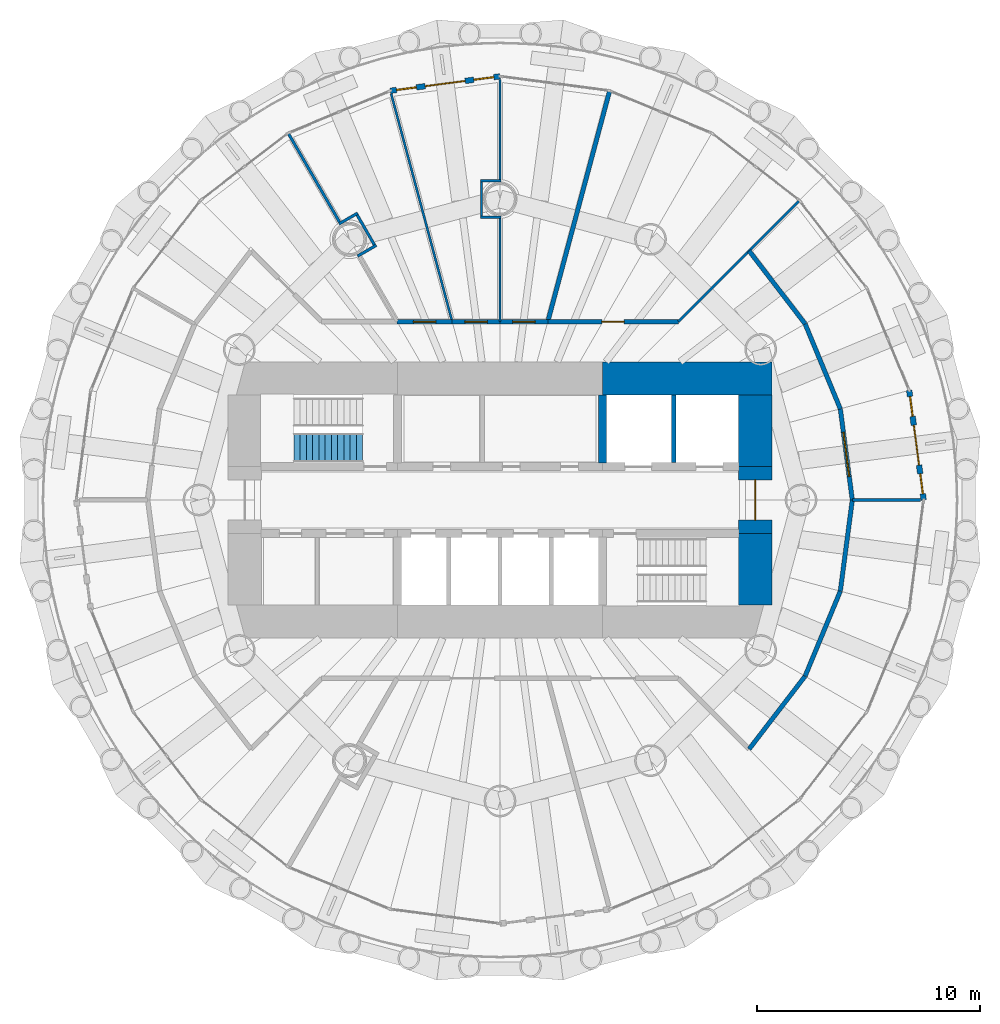
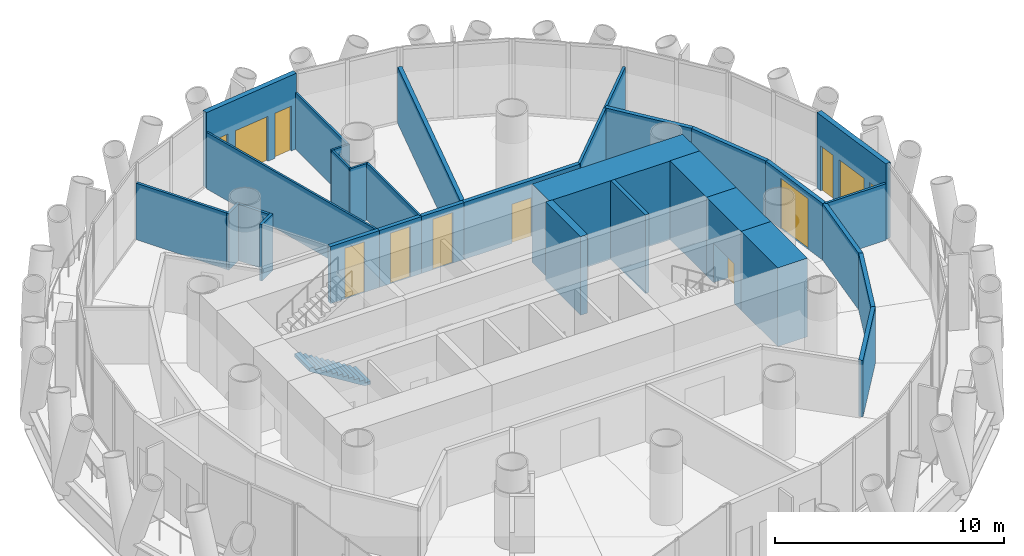
# One storey, part 11 of 16: 31 walls, 8 doors, 4 windows, 1 stair flight, 12 openings, 1 element without a shape of its own.
"""IFC4 building model written with IfcOpenShell, lengths in metres."""

from ifc_helpers import new_model, si_unit, direction, frame, frame_2d, origin, place, context, subcontext, project, spatial, polyline, rectangle, outline, extrude, material, layer, layer_set, type_object, element, fill, aggregate, save


model = new_model("IFC4")

# Units and contexts
model_context = context("Model", 3, precision=1e-05, world=origin(), true_north=direction((0.0, 1.0)))
body_context = subcontext(model_context, "Body", "Model", "MODEL_VIEW")
ifc_project = project(units=[si_unit("LENGTHUNIT", "METRE"), si_unit("AREAUNIT", "SQUARE_METRE"), si_unit("VOLUMEUNIT", "CUBIC_METRE"), si_unit("PLANEANGLEUNIT", "RADIAN"), si_unit("MASSUNIT", "GRAM", prefix="KILO")], contexts=[model_context])

# Site, building, storey
site_placement = place(None, origin())
site = spatial("IfcSite", under=ifc_project, at=site_placement, CompositionType="ELEMENT")
building_placement = place(site_placement, origin())
building = spatial("IfcBuilding", under=site, at=building_placement, Name="Qaws Media Tower", CompositionType="ELEMENT")
storey_placement = place(building_placement, frame((0.0, 0.0, 269.60009765625)))
storey = spatial("IfcBuildingStorey", under=building, at=storey_placement, Name="L62", CompositionType="ELEMENT", Elevation=269.60009765625)

# Wall, openings, door, windows
ifc_material_1 = material(Name="Precast concrete, exposed finish", Category="concrete")
ifc_layer_1 = layer(ifc_material_1, 0.25)
ifc_layer_set_1 = layer_set([ifc_layer_1], Name="Balcony door wall 250")
wall_type_1 = type_object("IfcWallType", Name="Balcony door wall 250", PredefinedType="SOLIDWALL", material=ifc_layer_set_1)
wall_1_placement = place(storey_placement, frame((79.0, 50.0, 0.0), z_axis=(0.0, 0.0, 1.0), x_axis=(-0.130538549191, 0.991443234469, 0.0)))
wall_1 = element("IfcWall", 1, at=wall_1_placement, inside=storey, type_object=wall_type_1, Name="W287 EW1 balcony door wall L62-01", PredefinedType="SOLIDWALL", context=body_context, shape_type="SweptSolid", body=[
    extrude(rectangle(XDim=4.9599609375, YDim=0.25, at=frame_2d((2.47998046875, 0.0))), origin(), (0.0, 0.0, 1.0), 4.039794921875),
])
opening_1_placement = place(wall_1_placement, frame((1.580078125, 0.0, 0.0)))
opening_1 = element("IfcOpeningElement", 2, at=opening_1_placement, cuts=wall_1, Name="Opening D7", PredefinedType="OPENING", context=body_context, shape_type="SweptSolid", body=[
    extrude(rectangle(XDim=1.800048828125, YDim=2.39990234375, at=frame_2d((0.89990234375, 1.199951171875))), frame((0.0, 0.135009765625, 0.0), z_axis=(0.0, -1.0, 0.0), x_axis=(1.0, 0.0, 0.0)), (0.0, 0.0, 1.0), 0.27001953125),
])
opening_2_placement = place(wall_1_placement, frame((0.280029296875, 0.0, 0.0)))
opening_2 = element("IfcOpeningElement", 3, at=opening_2_placement, cuts=wall_1, Name="Opening W7", PredefinedType="OPENING", context=body_context, shape_type="SweptSolid", body=[
    extrude(rectangle(XDim=0.89990234375, YDim=2.39990234375, at=frame_2d((0.449951171875, 1.199951171875))), frame((0.0, 0.135009765625, 0.0), z_axis=(0.0, -1.0, 0.0), x_axis=(1.0, 0.0, 0.0)), (0.0, 0.0, 1.0), 0.27001953125),
])
opening_3_placement = place(wall_1_placement, frame((3.780029296875, 0.0, 0.0)))
opening_3 = element("IfcOpeningElement", 4, at=opening_3_placement, cuts=wall_1, Name="Opening W7", PredefinedType="OPENING", context=body_context, shape_type="SweptSolid", body=[
    extrude(rectangle(XDim=0.89990234375, YDim=2.39990234375, at=frame_2d((0.449951171875, 1.199951171875))), frame((0.0, 0.135009765625, 0.0), z_axis=(0.0, -1.0, 0.0), x_axis=(1.0, 0.0, 0.0)), (0.0, 0.0, 1.0), 0.27001953125),
])
ifc_material_2 = material(Name="Aluminium and clear glass", Category="aluminium")
door_type_1 = type_object("IfcDoorType", Name="Balcony door pair 1800", OperationType="DOUBLE_DOOR_SLIDING", PredefinedType="DOOR", material=ifc_material_2)
door_1_placement = place(opening_1_placement, origin())
door_1 = element("IfcDoor", 5, at=door_1_placement, inside=storey, type_object=door_type_1, Name="D7 balcony door L62-01 in wall W287", OperationType="DOUBLE_DOOR_SLIDING", OverallHeight=2.39990234375, OverallWidth=1.800048828125, PredefinedType="DOOR", context=body_context, shape_type="SweptSolid", body=[
    extrude(rectangle(XDim=1.800048828125, YDim=2.39990234375, at=frame_2d((0.89990234375, 1.199951171875))), frame((0.0, 0.02490234375, 0.0), z_axis=(0.0, -1.0, 0.0), x_axis=(1.0, 0.0, 0.0)), (0.0, 0.0, 1.0), 0.050048828125),
])
fill(opening_1, door_1)
ifc_material_3 = material(Name="Aluminium and clear glass", Category="aluminium")
window_type = type_object("IfcWindowType", Name="Balcony side window 900", PartitioningType="SINGLE_PANEL", PredefinedType="WINDOW", material=ifc_material_3)
window_1_placement = place(opening_2_placement, origin())
window_1 = element("IfcWindow", 6, at=window_1_placement, inside=storey, type_object=window_type, Name="W1 balcony side light L62-01L", OverallHeight=2.39990234375, OverallWidth=0.89990234375, PartitioningType="SINGLE_PANEL", PredefinedType="WINDOW", context=body_context, shape_type="SweptSolid", body=[
    extrude(rectangle(XDim=0.89990234375, YDim=2.39990234375, at=frame_2d((0.449951171875, 1.199951171875))), frame((0.0, 0.030029296875, 0.0), z_axis=(0.0, -1.0, 0.0), x_axis=(1.0, 0.0, 0.0)), (0.0, 0.0, 1.0), 0.06005859375),
])
fill(opening_2, window_1)
window_2_placement = place(opening_3_placement, origin())
window_2 = element("IfcWindow", 7, at=window_2_placement, inside=storey, type_object=window_type, Name="W1 balcony side light L62-01R", OverallHeight=2.39990234375, OverallWidth=0.89990234375, PartitioningType="SINGLE_PANEL", PredefinedType="WINDOW", context=body_context, shape_type="SweptSolid", body=[
    extrude(rectangle(XDim=0.89990234375, YDim=2.39990234375, at=frame_2d((0.449951171875, 1.199951171875))), frame((0.0, 0.030029296875, 0.0), z_axis=(0.0, -1.0, 0.0), x_axis=(1.0, 0.0, 0.0)), (0.0, 0.0, 1.0), 0.06005859375),
])
fill(opening_3, window_2)

wall_2_placement = place(storey_placement, frame((60.0, 69.0, 0.0), z_axis=(0.0, 0.0, 1.0), x_axis=(-0.991443234469, -0.130538549191, 0.0)))
wall_2 = element("IfcWall", 8, at=wall_2_placement, inside=storey, type_object=wall_type_1, Name="W286 EW1 balcony door wall L62-07", PredefinedType="SOLIDWALL", context=body_context, shape_type="SweptSolid", body=[
    extrude(rectangle(XDim=4.9599609375, YDim=0.25, at=frame_2d((2.47998046875, 0.0))), origin(), (0.0, 0.0, 1.0), 4.039794921875),
])
opening_4_placement = place(wall_2_placement, frame((1.580078125, 0.0, 0.0)))
opening_4 = element("IfcOpeningElement", 9, at=opening_4_placement, cuts=wall_2, Name="Opening D7", PredefinedType="OPENING", context=body_context, shape_type="SweptSolid", body=[
    extrude(rectangle(XDim=1.800048828125, YDim=2.39990234375, at=frame_2d((0.89990234375, 1.199951171875))), frame((0.0, 0.135009765625, 0.0), z_axis=(0.0, -1.0, 0.0), x_axis=(1.0, 0.0, 0.0)), (0.0, 0.0, 1.0), 0.27001953125),
])
opening_5_placement = place(wall_2_placement, frame((0.280029296875, 0.0, 0.0)))
opening_5 = element("IfcOpeningElement", 10, at=opening_5_placement, cuts=wall_2, Name="Opening W7", PredefinedType="OPENING", context=body_context, shape_type="SweptSolid", body=[
    extrude(rectangle(XDim=0.89990234375, YDim=2.39990234375, at=frame_2d((0.449951171875, 1.199951171875))), frame((0.0, 0.135009765625, 0.0), z_axis=(0.0, -1.0, 0.0), x_axis=(1.0, 0.0, 0.0)), (0.0, 0.0, 1.0), 0.27001953125),
])
opening_6_placement = place(wall_2_placement, frame((3.780029296875, 0.0, 0.0)))
opening_6 = element("IfcOpeningElement", 11, at=opening_6_placement, cuts=wall_2, Name="Opening W7", PredefinedType="OPENING", context=body_context, shape_type="SweptSolid", body=[
    extrude(rectangle(XDim=0.89990234375, YDim=2.39990234375, at=frame_2d((0.449951171875, 1.199951171875))), frame((0.0, 0.135009765625, 0.0), z_axis=(0.0, -1.0, 0.0), x_axis=(1.0, 0.0, 0.0)), (0.0, 0.0, 1.0), 0.27001953125),
])
door_2_placement = place(opening_4_placement, origin())
door_2 = element("IfcDoor", 12, at=door_2_placement, inside=storey, type_object=door_type_1, Name="D7 balcony door L62-07 in wall W286", OperationType="DOUBLE_DOOR_SLIDING", OverallHeight=2.39990234375, OverallWidth=1.800048828125, PredefinedType="DOOR", context=body_context, shape_type="SweptSolid", body=[
    extrude(rectangle(XDim=1.800048828125, YDim=2.39990234375, at=frame_2d((0.89990234375, 1.199951171875))), frame((0.0, 0.02490234375, 0.0), z_axis=(0.0, -1.0, 0.0), x_axis=(1.0, 0.0, 0.0)), (0.0, 0.0, 1.0), 0.050048828125),
])
fill(opening_4, door_2)
window_3_placement = place(opening_5_placement, origin())
window_3 = element("IfcWindow", 13, at=window_3_placement, inside=storey, type_object=window_type, Name="W1 balcony side light L62-07L", OverallHeight=2.39990234375, OverallWidth=0.89990234375, PartitioningType="SINGLE_PANEL", PredefinedType="WINDOW", context=body_context, shape_type="SweptSolid", body=[
    extrude(rectangle(XDim=0.89990234375, YDim=2.39990234375, at=frame_2d((0.449951171875, 1.199951171875))), frame((0.0, 0.030029296875, 0.0), z_axis=(0.0, -1.0, 0.0), x_axis=(1.0, 0.0, 0.0)), (0.0, 0.0, 1.0), 0.06005859375),
])
fill(opening_5, window_3)
window_4_placement = place(opening_6_placement, origin())
window_4 = element("IfcWindow", 14, at=window_4_placement, inside=storey, type_object=window_type, Name="W1 balcony side light L62-07R", OverallHeight=2.39990234375, OverallWidth=0.89990234375, PartitioningType="SINGLE_PANEL", PredefinedType="WINDOW", context=body_context, shape_type="SweptSolid", body=[
    extrude(rectangle(XDim=0.89990234375, YDim=2.39990234375, at=frame_2d((0.449951171875, 1.199951171875))), frame((0.0, 0.030029296875, 0.0), z_axis=(0.0, -1.0, 0.0), x_axis=(1.0, 0.0, 0.0)), (0.0, 0.0, 1.0), 0.06005859375),
])
fill(opening_6, window_4)

# Walls
ifc_material_4 = material(Name="Concrete C60/75", Category="concrete")
ifc_layer_2 = layer(ifc_material_4, 0.35009765625)
ifc_layer_set_2 = layer_set([ifc_layer_2], Name="Core inner wall 350")
wall_type_2 = type_object("IfcWallType", Name="Core inner wall 350", PredefinedType="SHEAR", material=ifc_layer_set_2)
wall_3_placement = place(storey_placement, frame((64.60009765625, 51.655029296875, 0.0), z_axis=(0.0, 0.0, 1.0), x_axis=(0.0, 1.0, 0.0)))
element("IfcWall", 15, at=wall_3_placement, inside=storey, type_object=wall_type_2, Name="W309 SW5 core wall XNE L62", PredefinedType="SHEAR", context=body_context, shape_type="SweptSolid", body=[
    extrude(rectangle(XDim=3.06494140625, YDim=0.35009765625, at=frame_2d((1.532470703125, 0.0))), origin(), (0.0, 0.0, 1.0), 4.199951171875),
])
ifc_material_5 = material(Name="Concrete C60/75", Category="concrete")
ifc_layer_3 = layer(ifc_material_5, 1.5)
ifc_layer_set_3 = layer_set([ifc_layer_3], Name="Core wall 1500")
wall_type_3 = type_object("IfcWallType", Name="Core wall 1500", PredefinedType="SHEAR", material=ifc_layer_set_3)
wall_4_placement = place(storey_placement, frame((64.60009765625, 55.449951171875, 0.0), z_axis=(0.0, 0.0, 1.0), x_axis=(1.0, 0.0, 0.0)))
element("IfcWall", 16, at=wall_4_placement, inside=storey, type_object=wall_type_3, Name="W382 SW13 core wall NE L62", PredefinedType="SHEAR", context=body_context, shape_type="SweptSolid", body=[
    extrude(rectangle(XDim=7.599853515625, YDim=1.5, at=frame_2d((3.7998046875, 0.0))), origin(), (0.0, 0.0, 1.0), 4.199951171875),
])
wall_5_placement = place(storey_placement, frame((71.449951171875, 45.280029296875, 0.0), z_axis=(0.0, 0.0, 1.0), x_axis=(0.0, 1.0, 0.0)))
element("IfcWall", 17, at=wall_5_placement, inside=storey, type_object=wall_type_3, Name="W383 SW13 core wall ES L62", PredefinedType="SHEAR", context=body_context, shape_type="SweptSolid", body=[
    extrude(rectangle(XDim=3.219970703125, YDim=1.5, at=frame_2d((1.60986328125, 0.0))), origin(), (0.0, 0.0, 1.0), 4.199951171875),
])

# Wall, opening, door
wall_6_placement = place(storey_placement, frame((71.449951171875, 48.5, 0.0), z_axis=(0.0, 0.0, 1.0), x_axis=(0.0, 1.0, 0.0)))
wall_6 = element("IfcWall", 18, at=wall_6_placement, inside=storey, type_object=wall_type_3, Name="W384 SW13 core wall E L62", PredefinedType="SHEAR", context=body_context, shape_type="SweptSolid", body=[
    extrude(rectangle(XDim=3.0, YDim=1.5, at=frame_2d((1.5, 0.0))), origin(), (0.0, 0.0, 1.0), 4.199951171875),
])
opening_7_placement = place(wall_6_placement, frame((0.60009765625, 0.0, 0.0)))
opening_7 = element("IfcOpeningElement", 19, at=opening_7_placement, cuts=wall_6, Name="Opening D2", PredefinedType="OPENING", context=body_context, shape_type="SweptSolid", body=[
    extrude(rectangle(XDim=1.800048828125, YDim=2.10009765625, at=frame_2d((0.89990234375, 1.050048828125))), frame((0.0, 0.760009765625, 0.0), z_axis=(0.0, -1.0, 0.0), x_axis=(1.0, 0.0, 0.0)), (0.0, 0.0, 1.0), 1.52001953125),
])
ifc_material_6 = material(Name="Steel and glass, fire rated", Category="steel")
door_type_2 = type_object("IfcDoorType", Name="Lobby door pair 1800 FD60", OperationType="DOUBLE_DOOR_DOUBLE_SWING", PredefinedType="DOOR", material=ifc_material_6)
door_3_placement = place(opening_7_placement, origin())
door_3 = element("IfcDoor", 20, at=door_3_placement, inside=storey, type_object=door_type_2, Name="D2 core lobby door E L62 in wall W384", OperationType="DOUBLE_DOOR_DOUBLE_SWING", OverallHeight=2.10009765625, OverallWidth=1.800048828125, PredefinedType="DOOR", context=body_context, shape_type="SweptSolid", body=[
    extrude(rectangle(XDim=1.800048828125, YDim=2.10009765625, at=frame_2d((0.89990234375, 1.050048828125))), frame((0.0, 0.02490234375, 0.0), z_axis=(0.0, -1.0, 0.0), x_axis=(1.0, 0.0, 0.0)), (0.0, 0.0, 1.0), 0.050048828125),
])
fill(opening_7, door_3)

# Walls
wall_7_placement = place(storey_placement, frame((71.449951171875, 51.5, 0.0), z_axis=(0.0, 0.0, 1.0), x_axis=(0.0, 1.0, 0.0)))
element("IfcWall", 21, at=wall_7_placement, inside=storey, type_object=wall_type_3, Name="W385 SW13 core wall EN L62", PredefinedType="SHEAR", context=body_context, shape_type="SweptSolid", body=[
    extrude(rectangle(XDim=3.219970703125, YDim=1.5, at=frame_2d((1.60986328125, 0.0))), origin(), (0.0, 0.0, 1.0), 4.199951171875),
])
ifc_material_7 = material(Name="Two layers gypsum board each side on 75 studs, insulated", Category="gypsum")
ifc_layer_4 = layer(ifc_material_7, 0.125)
ifc_layer_set_4 = layer_set([ifc_layer_4], Name="Meeting room partition 125 Rw 48")
wall_type_4 = type_object("IfcWallType", Name="Meeting room partition 125 Rw 48", PredefinedType="PARTITIONING", material=ifc_layer_set_4)
wall_8_placement = place(storey_placement, frame((75.800048828125, 50.0, 0.0), z_axis=(0.0, 0.0, 1.0), x_axis=(1.0, 0.0, 0.0)))
element("IfcWall", 22, at=wall_8_placement, inside=storey, type_object=wall_type_4, Name="W630 IW5 partition L62", PredefinedType="PARTITIONING", context=body_context, shape_type="SweptSolid", body=[
    extrude(rectangle(XDim=3.06005859375, YDim=0.125, at=frame_2d((1.530029296875, 0.0))), origin(), (0.0, 0.0, 1.0), 3.02001953125),
])
wall_9_placement = place(storey_placement, frame((68.0, 58.0, 0.0), z_axis=(0.0, 0.0, 1.0), x_axis=(0.707106781187, 0.707106781187, 0.0)))
element("IfcWall", 23, at=wall_9_placement, inside=storey, type_object=wall_type_4, Name="W629 IW5 partition L62", PredefinedType="PARTITIONING", context=body_context, shape_type="SweptSolid", body=[
    extrude(rectangle(XDim=7.646240234375, YDim=0.125, at=frame_2d((3.8232421875, 0.0))), origin(), (0.0, 0.0, 1.0), 3.02001953125),
])
for number, where, z_axis, x_axis, name in (
    (24, (53.612548828125, 60.938232421875, 0.0), (0.0, 0.0, 1.0), (0.866000904559, 0.500042431503, 0.0), "W626 IW5 partition return L62"),
    (25, (52.779052734375, 62.3818359375, 0.0), (0.0, 0.0, 1.0), (0.866000904559, 0.500042431503, 0.0), "W624 IW5 partition return L62"),
):
    element("IfcWall", number, at=place(storey_placement, frame(where, z_axis=z_axis, x_axis=x_axis)), inside=storey, type_object=wall_type_4, Name=name, PredefinedType="PARTITIONING", context=body_context, shape_type="SweptSolid", body=[
        extrude(rectangle(XDim=0.96875, YDim=0.125, at=frame_2d((0.484375, 0.0))), origin(), (0.0, 0.0, 1.0), 3.02001953125),
    ])
wall_10_placement = place(storey_placement, frame((54.365966796875, 61.4453125, 0.0), z_axis=(0.0, 0.0, 1.0), x_axis=(-0.499987416453, 0.866032668777, 0.0)))
element("IfcWall", 26, at=wall_10_placement, inside=storey, type_object=wall_type_4, Name="W627 IW5 partition return L62", PredefinedType="PARTITIONING", context=body_context, shape_type="SweptSolid", body=[
    extrude(rectangle(XDim=1.5419921875, YDim=0.125, at=frame_2d((0.77099609375, 0.0))), origin(), (0.0, 0.0, 1.0), 3.02001953125),
])
wall_11_placement = place(storey_placement, frame((52.802001953125, 62.46728515625, 0.0), z_axis=(0.0, 0.0, 1.0), x_axis=(-0.499987929865, 0.866032372368, 0.0)))
element("IfcWall", 27, at=wall_11_placement, inside=storey, type_object=wall_type_4, Name="W625 IW5 partition L62", PredefinedType="PARTITIONING", context=body_context, shape_type="SweptSolid", body=[
    extrude(rectangle(XDim=4.56396484375, YDim=0.125, at=frame_2d((2.281982421875, 0.0))), origin(), (0.0, 0.0, 1.0), 3.02001953125),
])
ifc_material_8 = material(Name="Gypsum board on 70 metal studs, single layer each side", Category="gypsum")
ifc_layer_5 = layer(ifc_material_8, 0.10009765625)
ifc_layer_set_5 = layer_set([ifc_layer_5], Name="Office stud partition 100")
wall_type_5 = type_object("IfcWallType", Name="Office stud partition 100", PredefinedType="PARTITIONING", material=ifc_layer_set_5)
for number, where, z_axis, x_axis, name in (
    (28, (60.050048828125, 62.678955078125, 0.0), (0.0, 0.0, 1.0), (-1.0, 0.0, 0.0), "W728 IW4 partition return L62"),
    (29, (60.050048828125, 64.321044921875, 0.0), (0.0, 0.0, 1.0), (-1.0, 0.0, 0.0), "W729 IW4 partition return L62"),
):
    element("IfcWall", number, at=place(storey_placement, frame(where, z_axis=z_axis, x_axis=x_axis)), inside=storey, type_object=wall_type_5, Name=name, PredefinedType="PARTITIONING", context=body_context, shape_type="SweptSolid", body=[
        extrude(rectangle(XDim=0.93115234375, YDim=0.10009765625, at=frame_2d((0.465576171875, 0.0))), origin(), (0.0, 0.0, 1.0), 3.02001953125),
    ])
wall_12_placement = place(storey_placement, frame((59.1689453125, 62.72900390625, 0.0), z_axis=(0.0, 0.0, 1.0), x_axis=(0.0, 1.0, 0.0)))
element("IfcWall", 30, at=wall_12_placement, inside=storey, type_object=wall_type_5, Name="W725 IW4 partition return L62", PredefinedType="PARTITIONING", context=body_context, shape_type="SweptSolid", body=[
    extrude(rectangle(XDim=1.5419921875, YDim=0.10009765625, at=frame_2d((0.77099609375, 0.0))), origin(), (0.0, 0.0, 1.0), 3.02001953125),
])
wall_13_placement = place(storey_placement, frame((60.0, 58.0, 0.0), z_axis=(0.0, 0.0, 1.0), x_axis=(0.0, 1.0, 0.0)))
element("IfcWall", 31, at=wall_13_placement, inside=storey, type_object=wall_type_5, Name="W726 IW4 partition L62", PredefinedType="PARTITIONING", context=body_context, shape_type="SweptSolid", body=[
    extrude(rectangle(XDim=4.62890625, YDim=0.10009765625, at=frame_2d((2.314453125, 0.0))), origin(), (0.0, 0.0, 1.0), 3.039794921875),
])
wall_14_placement = place(storey_placement, frame((60.0, 64.37109375, 0.0), z_axis=(0.0, 0.0, 1.0), x_axis=(0.0, 1.0, 0.0)))
element("IfcWall", 32, at=wall_14_placement, inside=storey, type_object=wall_type_5, Name="W727 IW4 partition L62", PredefinedType="PARTITIONING", context=body_context, shape_type="SweptSolid", body=[
    extrude(rectangle(XDim=4.489013671875, YDim=0.10009765625, at=frame_2d((2.24462890625, 0.0))), origin(), (0.0, 0.0, 1.0), 3.02001953125),
])
wall_15_placement = place(storey_placement, frame((57.85693359375, 57.997802734375, 0.0), z_axis=(0.0, 0.0, 1.0), x_axis=(-0.258817209762, 0.965926318065, 0.0)))
element("IfcWall", 33, at=wall_15_placement, inside=storey, type_object=wall_type_5, Name="W724 IW4 partition L62", PredefinedType="PARTITIONING", context=body_context, shape_type="SweptSolid", body=[
    extrude(rectangle(XDim=10.580078125, YDim=0.10009765625, at=frame_2d((5.2900390625, 0.0))), origin(), (0.0, 0.0, 1.0), 3.02001953125),
])

# Wall, opening, door
ifc_material_9 = material(Name="Gypsum board on galvanised metal studs, acoustic double stud, deflection head", Category="gypsum")
ifc_layer_6 = layer(ifc_material_9, 0.199951171875)
ifc_layer_set_6 = layer_set([ifc_layer_6], Name="Room partition 200")
wall_type_6 = type_object("IfcWallType", Name="Room partition 200", PredefinedType="PARTITIONING", material=ifc_layer_set_6)
wall_16_placement = place(storey_placement, frame((55.381103515625, 58.0, 0.0), z_axis=(0.0, 0.0, 1.0), x_axis=(1.0, 0.0, 0.0)))
wall_16 = element("IfcWall", 34, at=wall_16_placement, inside=storey, type_object=wall_type_6, Name="W1718 IW3 partition L62", PredefinedType="PARTITIONING", context=body_context, shape_type="SweptSolid", body=[
    extrude(rectangle(XDim=2.475341796875, YDim=0.199951171875, at=frame_2d((1.23779296875, 0.0))), origin(), (0.0, 0.0, 1.0), 3.039794921875),
])
opening_8_placement = place(wall_16_placement, frame((0.737548828125, 0.0, 0.0)))
opening_8 = element("IfcOpeningElement", 35, at=opening_8_placement, cuts=wall_16, Name="Opening D21", PredefinedType="OPENING", context=body_context, shape_type="SweptSolid", body=[
    extrude(rectangle(XDim=1.0, YDim=2.699951171875, at=frame_2d((0.5, 1.35009765625))), frame((0.0, 0.10986328125, 0.0), z_axis=(0.0, -1.0, 0.0), x_axis=(1.0, 0.0, 0.0)), (0.0, 0.0, 1.0), 0.219970703125),
])
ifc_material_10 = material(Name="Timber veneered, full height, acoustic seals", Category="wood")
door_type_3 = type_object("IfcDoorType", Name="Executive door 1000x2700", OperationType="SINGLE_SWING_LEFT", PredefinedType="DOOR", material=ifc_material_10)
door_4_placement = place(opening_8_placement, origin())
door_4 = element("IfcDoor", 36, at=door_4_placement, inside=storey, type_object=door_type_3, Name="D21 Executive office door L62 in wall W1718", OperationType="SINGLE_SWING_LEFT", OverallHeight=2.699951171875, OverallWidth=1.0, PredefinedType="DOOR", context=body_context, shape_type="SweptSolid", body=[
    extrude(rectangle(XDim=1.0, YDim=2.699951171875, at=frame_2d((0.5, 1.35009765625))), frame((0.0, 0.02490234375, 0.0), z_axis=(0.0, -1.0, 0.0), x_axis=(1.0, 0.0, 0.0)), (0.0, 0.0, 1.0), 0.050048828125),
])
fill(opening_8, door_4)

wall_17_placement = place(storey_placement, frame((57.8564453125, 58.0, 0.0), z_axis=(0.0, 0.0, 1.0), x_axis=(1.0, 0.0, 0.0)))
wall_17 = element("IfcWall", 37, at=wall_17_placement, inside=storey, type_object=wall_type_6, Name="W1719 IW3 partition L62", PredefinedType="PARTITIONING", context=body_context, shape_type="SweptSolid", body=[
    extrude(rectangle(XDim=2.1435546875, YDim=0.199951171875, at=frame_2d((1.07177734375, 0.0))), origin(), (0.0, 0.0, 1.0), 3.039794921875),
])
opening_9_placement = place(wall_17_placement, frame((0.57177734375, 0.0, 0.0)))
opening_9 = element("IfcOpeningElement", 38, at=opening_9_placement, cuts=wall_17, Name="Opening D21", PredefinedType="OPENING", context=body_context, shape_type="SweptSolid", body=[
    extrude(rectangle(XDim=1.0, YDim=2.699951171875, at=frame_2d((0.5, 1.35009765625))), frame((0.0, 0.10986328125, 0.0), z_axis=(0.0, -1.0, 0.0), x_axis=(1.0, 0.0, 0.0)), (0.0, 0.0, 1.0), 0.219970703125),
])
door_5_placement = place(opening_9_placement, origin())
door_5 = element("IfcDoor", 39, at=door_5_placement, inside=storey, type_object=door_type_3, Name="D21 Executive office door L62 in wall W1719", OperationType="SINGLE_SWING_LEFT", OverallHeight=2.699951171875, OverallWidth=1.0, PredefinedType="DOOR", context=body_context, shape_type="SweptSolid", body=[
    extrude(rectangle(XDim=1.0, YDim=2.699951171875, at=frame_2d((0.5, 1.35009765625))), frame((0.0, 0.02490234375, 0.0), z_axis=(0.0, -1.0, 0.0), x_axis=(1.0, 0.0, 0.0)), (0.0, 0.0, 1.0), 0.050048828125),
])
fill(opening_9, door_5)

wall_18_placement = place(storey_placement, frame((60.0, 58.0, 0.0), z_axis=(0.0, 0.0, 1.0), x_axis=(1.0, 0.0, 0.0)))
wall_18 = element("IfcWall", 40, at=wall_18_placement, inside=storey, type_object=wall_type_6, Name="W1723 IW3 partition L62", PredefinedType="PARTITIONING", context=body_context, shape_type="SweptSolid", body=[
    extrude(rectangle(XDim=2.1435546875, YDim=0.199951171875, at=frame_2d((1.07177734375, 0.0))), origin(), (0.0, 0.0, 1.0), 3.039794921875),
])
opening_10_placement = place(wall_18_placement, frame((0.57177734375, 0.0, 0.0)))
opening_10 = element("IfcOpeningElement", 41, at=opening_10_placement, cuts=wall_18, Name="Opening D21", PredefinedType="OPENING", context=body_context, shape_type="SweptSolid", body=[
    extrude(rectangle(XDim=1.0, YDim=2.699951171875, at=frame_2d((0.5, 1.35009765625))), frame((0.0, 0.10986328125, 0.0), z_axis=(0.0, -1.0, 0.0), x_axis=(1.0, 0.0, 0.0)), (0.0, 0.0, 1.0), 0.219970703125),
])
door_6_placement = place(opening_10_placement, origin())
door_6 = element("IfcDoor", 42, at=door_6_placement, inside=storey, type_object=door_type_3, Name="D21 Executive office door L62 in wall W1723", OperationType="SINGLE_SWING_LEFT", OverallHeight=2.699951171875, OverallWidth=1.0, PredefinedType="DOOR", context=body_context, shape_type="SweptSolid", body=[
    extrude(rectangle(XDim=1.0, YDim=2.699951171875, at=frame_2d((0.5, 1.35009765625))), frame((0.0, 0.02490234375, 0.0), z_axis=(0.0, -1.0, 0.0), x_axis=(1.0, 0.0, 0.0)), (0.0, 0.0, 1.0), 0.050048828125),
])
fill(opening_10, door_6)

wall_19_placement = place(storey_placement, frame((62.1435546875, 58.0, 0.0), z_axis=(0.0, 0.0, 1.0), x_axis=(1.0, 0.0, 0.0)))
wall_19 = element("IfcWall", 43, at=wall_19_placement, inside=storey, type_object=wall_type_6, Name="W1766 IW3 partition L62", PredefinedType="PARTITIONING", context=body_context, shape_type="SweptSolid", body=[
    extrude(rectangle(XDim=5.8564453125, YDim=0.199951171875, at=frame_2d((2.92822265625, 0.0))), origin(), (0.0, 0.0, 1.0), 3.039794921875),
])
opening_11_placement = place(wall_19_placement, frame((2.42822265625, 0.0, 0.0)))
opening_11 = element("IfcOpeningElement", 44, at=opening_11_placement, cuts=wall_19, Name="Opening D5", PredefinedType="OPENING", context=body_context, shape_type="SweptSolid", body=[
    extrude(rectangle(XDim=1.0, YDim=2.10009765625, at=frame_2d((0.5, 1.050048828125))), frame((0.0, 0.10986328125, 0.0), z_axis=(0.0, -1.0, 0.0), x_axis=(1.0, 0.0, 0.0)), (0.0, 0.0, 1.0), 0.219970703125),
])
ifc_material_11 = material(Name="Timber veneered, acoustic seal", Category="wood")
door_type_4 = type_object("IfcDoorType", Name="Room door 1000", OperationType="SINGLE_SWING_LEFT", PredefinedType="DOOR", material=ifc_material_11)
door_7_placement = place(opening_11_placement, origin())
door_7 = element("IfcDoor", 45, at=door_7_placement, inside=storey, type_object=door_type_4, Name="D5 Board meeting room door L62 in wall W1766", OperationType="SINGLE_SWING_LEFT", OverallHeight=2.10009765625, OverallWidth=1.0, PredefinedType="DOOR", context=body_context, shape_type="SweptSolid", body=[
    extrude(rectangle(XDim=1.0, YDim=2.10009765625, at=frame_2d((0.5, 1.050048828125))), frame((0.0, 0.02490234375, 0.0), z_axis=(0.0, -1.0, 0.0), x_axis=(1.0, 0.0, 0.0)), (0.0, 0.0, 1.0), 0.050048828125),
])
fill(opening_11, door_7)

# Walls
wall_20_placement = place(storey_placement, frame((71.17236328125, 61.17236328125, 0.0), z_axis=(0.0, 0.0, 1.0), x_axis=(0.608714823874, -0.793389099494, 0.0)))
element("IfcWall", 46, at=wall_20_placement, inside=storey, type_object=wall_type_6, Name="W1729 IW3 partition L62", PredefinedType="PARTITIONING", context=body_context, shape_type="SweptSolid", body=[
    extrude(rectangle(XDim=4.124755859375, YDim=0.199951171875, at=frame_2d((2.0625, 0.0))), origin(), (0.0, 0.0, 1.0), 3.02001953125),
])
wall_21_placement = place(storey_placement, frame((73.68310546875, 57.89990234375, 0.0), z_axis=(0.0, 0.0, 1.0), x_axis=(0.382731667114, -0.923859551549, 0.0)))
element("IfcWall", 47, at=wall_21_placement, inside=storey, type_object=wall_type_6, Name="W1731 IW3 partition L62", PredefinedType="PARTITIONING", context=body_context, shape_type="SweptSolid", body=[
    extrude(rectangle(XDim=4.12451171875, YDim=0.199951171875, at=frame_2d((2.062255859375, 0.0))), origin(), (0.0, 0.0, 1.0), 3.02001953125),
])

# Wall, opening, door
wall_22_placement = place(storey_placement, frame((75.26171875, 54.08935546875, 0.0), z_axis=(0.0, 0.0, 1.0), x_axis=(0.130515758099, -0.991446234996, 0.0)))
wall_22 = element("IfcWall", 48, at=wall_22_placement, inside=storey, type_object=wall_type_6, Name="W1733 IW3 partition L62", PredefinedType="PARTITIONING", context=body_context, shape_type="SweptSolid", body=[
    extrude(rectangle(XDim=4.124755859375, YDim=0.199951171875, at=frame_2d((2.0625, 0.0))), origin(), (0.0, 0.0, 1.0), 3.02001953125),
])
opening_12_placement = place(wall_22_placement, frame((1.062255859375, 0.0, 0.0)))
opening_12 = element("IfcOpeningElement", 49, at=opening_12_placement, cuts=wall_22, Name="Opening D22", PredefinedType="OPENING", context=body_context, shape_type="SweptSolid", body=[
    extrude(rectangle(XDim=2.0, YDim=2.699951171875, at=frame_2d((1.0, 1.35009765625))), frame((0.0, 0.10986328125, 0.0), z_axis=(0.0, -1.0, 0.0), x_axis=(1.0, 0.0, 0.0)), (0.0, 0.0, 1.0), 0.219970703125),
])
ifc_material_12 = material(Name="Timber veneered, acoustic seals", Category="wood")
door_type_5 = type_object("IfcDoorType", Name="Boardroom door pair 2000x2700", OperationType="DOUBLE_DOOR_DOUBLE_SWING", PredefinedType="DOOR", material=ifc_material_12)
door_8_placement = place(opening_12_placement, origin())
door_8 = element("IfcDoor", 50, at=door_8_placement, inside=storey, type_object=door_type_5, Name="D22 Boardroom door L62 in wall W1733", OperationType="DOUBLE_DOOR_DOUBLE_SWING", OverallHeight=2.699951171875, OverallWidth=2.0, PredefinedType="DOOR", context=body_context, shape_type="SweptSolid", body=[
    extrude(rectangle(XDim=2.0, YDim=2.699951171875, at=frame_2d((1.0, 1.35009765625))), frame((0.0, 0.02490234375, 0.0), z_axis=(0.0, -1.0, 0.0), x_axis=(1.0, 0.0, 0.0)), (0.0, 0.0, 1.0), 0.050048828125),
])
fill(opening_12, door_8)

# Walls
wall_23_placement = place(storey_placement, frame((75.800048828125, 50.0, 0.0), z_axis=(0.0, 0.0, 1.0), x_axis=(-0.130515758099, -0.991446234996, 0.0)))
element("IfcWall", 51, at=wall_23_placement, inside=storey, type_object=wall_type_6, Name="W1734 IW3 partition L62", PredefinedType="PARTITIONING", context=body_context, shape_type="SweptSolid", body=[
    extrude(rectangle(XDim=4.124755859375, YDim=0.199951171875, at=frame_2d((2.0625, 0.0))), origin(), (0.0, 0.0, 1.0), 3.02001953125),
])
wall_24_placement = place(storey_placement, frame((75.26171875, 45.91064453125, 0.0), z_axis=(0.0, 0.0, 1.0), x_axis=(-0.382731667114, -0.923859551549, 0.0)))
element("IfcWall", 52, at=wall_24_placement, inside=storey, type_object=wall_type_6, Name="W1732 IW3 partition L62", PredefinedType="PARTITIONING", context=body_context, shape_type="SweptSolid", body=[
    extrude(rectangle(XDim=4.12451171875, YDim=0.199951171875, at=frame_2d((2.062255859375, 0.0))), origin(), (0.0, 0.0, 1.0), 3.02001953125),
])
wall_25_placement = place(storey_placement, frame((73.68310546875, 42.10009765625, 0.0), z_axis=(0.0, 0.0, 1.0), x_axis=(-0.608714823874, -0.793389099494, 0.0)))
element("IfcWall", 53, at=wall_25_placement, inside=storey, type_object=wall_type_6, Name="W1730 IW3 partition L62", PredefinedType="PARTITIONING", context=body_context, shape_type="SweptSolid", body=[
    extrude(rectangle(XDim=4.124755859375, YDim=0.199951171875, at=frame_2d((2.0625, 0.0))), origin(), (0.0, 0.0, 1.0), 3.02001953125),
])
wall_26_placement = place(storey_placement, frame((62.14306640625, 57.997802734375, 0.0), z_axis=(0.0, 0.0, 1.0), x_axis=(0.258814926071, 0.965926929971, 0.0)))
element("IfcWall", 54, at=wall_26_placement, inside=storey, type_object=wall_type_6, Name="W1764 IW3 partition L62", PredefinedType="PARTITIONING", context=body_context, shape_type="SweptSolid", body=[
    extrude(rectangle(XDim=10.68017578125, YDim=0.199951171875, at=frame_2d((5.340087890625, 0.0))), origin(), (0.0, 0.0, 1.0), 3.02001953125),
])
ifc_material_13 = material(Name="Fire-rated gypsum board shaft wall on galvanised metal studs, deflection head", Category="gypsum")
ifc_layer_7 = layer(ifc_material_13, 0.199951171875)
ifc_layer_set_7 = layer_set([ifc_layer_7], Name="Shaft wall 200")
wall_type_7 = type_object("IfcWallType", Name="Shaft wall 200", PredefinedType="PARTITIONING", material=ifc_layer_set_7)
wall_27_placement = place(storey_placement, frame((67.800048828125, 51.675048828125, 0.0), z_axis=(0.0, 0.0, 1.0), x_axis=(0.0, 1.0, 0.0)))
element("IfcWall", 55, at=wall_27_placement, inside=storey, type_object=wall_type_7, Name="W1874 IW1 shaft wall FL L62", PredefinedType="PARTITIONING", context=body_context, shape_type="SweptSolid", body=[
    extrude(rectangle(XDim=3.02490234375, YDim=0.199951171875, at=frame_2d((1.512451171875, 0.0))), origin(), (0.0, 0.0, 1.0), 4.199951171875),
])

# Stair, stair flight
ifc_material_14 = material(Name="Concrete C40/50", Category="concrete")
stair_type = type_object("IfcStairType", Name="Exit stair", PredefinedType="HALF_TURN_STAIR", material=ifc_material_14)
stair_placement = place(storey_placement, origin())
stair = element("IfcStair", 56, at=stair_placement, inside=storey, type_object=stair_type, Name="S1 exit stair L62", PredefinedType="HALF_TURN_STAIR")
ifc_material_15 = material(Name="Concrete C40/50", Category="concrete")
stair_flight_type = type_object("IfcStairFlightType", Name="Stair flight 1310", PredefinedType="STRAIGHT", material=ifc_material_15)
stair_flight_placement = place(storey_placement, frame((53.840087890625, 52.35498046875, 0.0), z_axis=(0.0, 0.0, 1.0), x_axis=(-1.0, 0.0, 0.0)))
stair_flight = element("IfcStairFlight", 57, at=stair_flight_placement, type_object=stair_flight_type, Name="S1 flight 1", NumberOfRisers=12, NumberOfTreads=11, PredefinedType="STRAIGHT", RiserHeight=0.175, TreadLength=0.28, context=body_context, shape_type="SweptSolid", body=[
    extrude(outline(polyline([(0.0, 0.0), (0.0, 0.175048828125), (0.280029296875, 0.175048828125), (0.280029296875, 0.35009765625), (0.56005859375, 0.35009765625), (0.56005859375, 0.52490234375), (0.840087890625, 0.52490234375), (0.840087890625, 0.699951171875), (1.1201171875, 0.699951171875), (1.1201171875, 0.875), (1.39990234375, 0.875), (1.39990234375, 1.050048828125), (1.679931640625, 1.050048828125), (1.679931640625, 1.22509765625), (1.9599609375, 1.22509765625), (1.9599609375, 1.39990234375), (2.239990234375, 1.39990234375), (2.239990234375, 1.574951171875), (2.52001953125, 1.574951171875), (2.52001953125, 1.75), (2.800048828125, 1.75), (2.800048828125, 1.925048828125), (3.080078125, 1.925048828125), (3.080078125, 2.10009765625), (3.080078125, 1.748291015625), (0.28271484375, 0.0), (0.0, 0.0)])), frame((0.0, 0.655029296875, 0.0), z_axis=(0.0, -1.0, 0.0), x_axis=(1.0, 0.0, 0.0)), (0.0, 0.0, 1.0), 1.31005859375),
])
aggregate(stair, [stair_flight])

save(model, "model.ifc")
